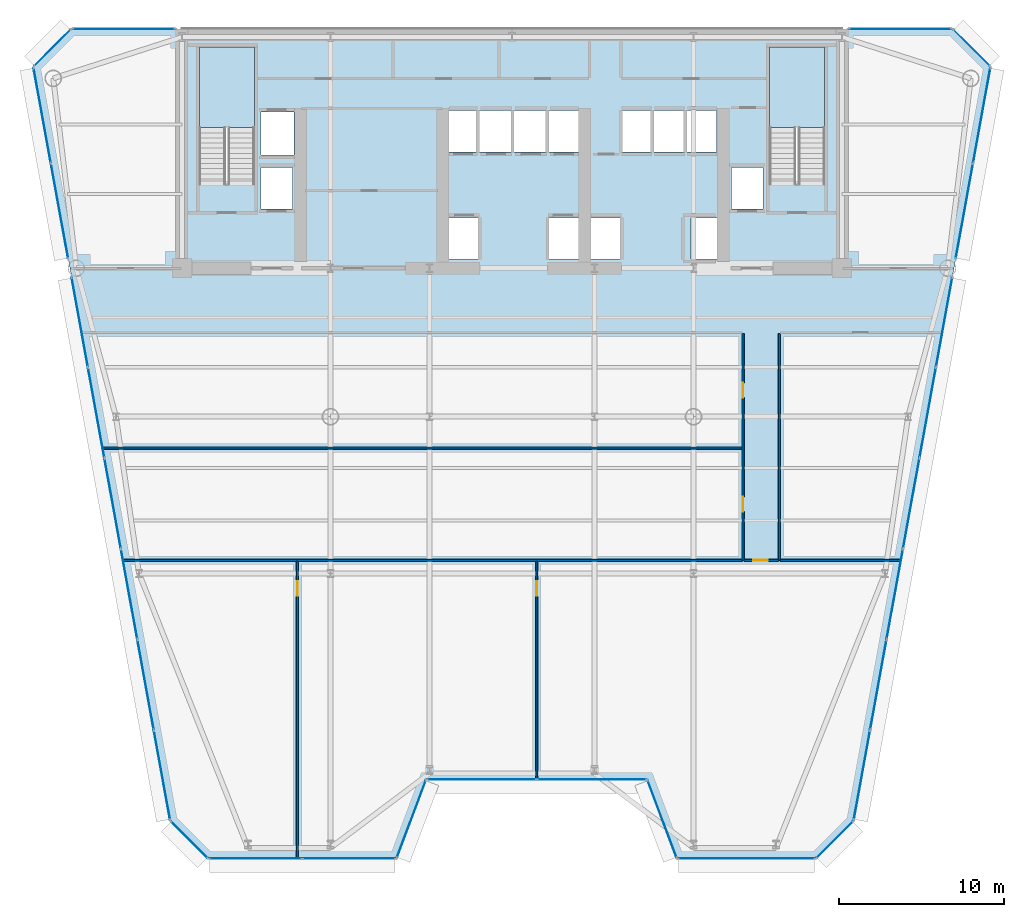
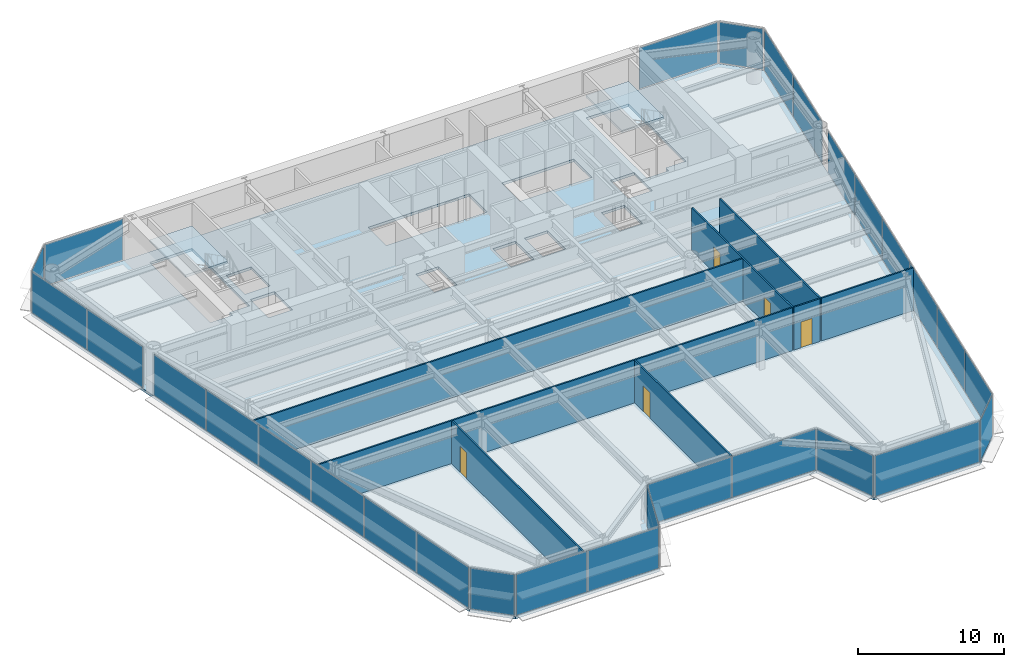
# One storey, part 7 of 14: 29 plates, 8 walls, 5 doors, 3 slabs, 5 openings, 17 elements without a shape of their own.
"""IFC4 building model written with IfcOpenShell, lengths in metres."""

import ifcopenshell
import ifcopenshell.guid

model = None  # the IFC model being written
_history = None  # IfcOwnerHistory: only IFC2X3 demands one
_inside = {}  # id of a spatial element -> (the spatial element, [elements in it])
_under = {}  # id of a project, library or spatial element -> (it, [spatial elements below it])
_declared = {}  # id of a project -> (the project, [libraries it declares])
_typed = {}  # id of a type object -> (the type object, [elements of that type])
_made_of = {}  # id of a material, layer set ... -> (it, [elements and type objects made of it])


def new_model(schema):
    """Start an empty IFC model of exactly this schema.

    Asked for "IFC4X3", IfcOpenShell would pick the latest addendum, in which some entities
    have other attributes; the version numbers below select the first issue.
    IFC2X3 requires an IfcOwnerHistory on every rooted entity: one is made here for all.
    """
    global model, _history
    if schema == "IFC4X3":
        model = ifcopenshell.file(schema_version=(4, 3, 0, 0))
    else:
        model = ifcopenshell.file(schema=schema)
    _inside.clear()
    _under.clear()
    _declared.clear()
    _typed.clear()
    _made_of.clear()
    _history = None
    if model.schema == "IFC2X3":
        org = make("IfcOrganization", Name="unknown")
        user = make(
            "IfcPersonAndOrganization",
            ThePerson=make("IfcPerson", FamilyName="unknown"),
            TheOrganization=org,
        )
        app = make(
            "IfcApplication",
            ApplicationDeveloper=org,
            Version="unknown",
            ApplicationFullName="unknown",
            ApplicationIdentifier="unknown",
        )
        _history = make(
            "IfcOwnerHistory",
            OwningUser=user,
            OwningApplication=app,
            ChangeAction="ADDED",
            CreationDate=0,
        )
    return model


def make(cls, **values):
    """One entity of the class cls with the attributes given. An attribute that is None is left unset."""
    return model.create_entity(
        cls, **{name: value for name, value in values.items() if value is not None}
    )


def rooted(cls, **values):
    """An entity with a GlobalId (a new one), such as an element, a storey or a relation."""
    return make(cls, GlobalId=ifcopenshell.guid.new(), OwnerHistory=_history, **values)


def si_unit(unit_type, name, prefix=None):
    """IfcSIUnit, for example si_unit("LENGTHUNIT", "METRE", prefix="MILLI")."""
    return make("IfcSIUnit", UnitType=unit_type, Prefix=prefix, Name=name)


def assignment(units):
    """IfcUnitAssignment: the units of a project."""
    return None if units is None else make("IfcUnitAssignment", Units=units)


def point(xyz):
    """IfcCartesianPoint."""
    return None if xyz is None else make("IfcCartesianPoint", Coordinates=xyz)


def direction(xyz):
    """IfcDirection."""
    return None if xyz is None else make("IfcDirection", DirectionRatios=xyz)


def frame(location, z_axis=None, x_axis=None):
    """IfcAxis2Placement3D, a coordinate frame: its origin and axes. An axis left out is left unset."""
    return make(
        "IfcAxis2Placement3D",
        Location=point(location),
        Axis=direction(z_axis),
        RefDirection=direction(x_axis),
    )


def frame_2d(location, x_axis=None):
    """IfcAxis2Placement2D, a coordinate frame in the plane: its origin and x axis."""
    return make(
        "IfcAxis2Placement2D", Location=point(location), RefDirection=direction(x_axis)
    )


def origin():
    """The frame at (0, 0, 0) with its axes left unset."""
    return frame((0.0, 0.0, 0.0))


def origin_2d():
    """The frame at (0, 0) in the plane with its x axis left unset."""
    return frame_2d((0.0, 0.0))


def place(relative_to, where):
    """IfcLocalPlacement: puts the frame where relative to a parent placement (None: the world)."""
    return make(
        "IfcLocalPlacement", PlacementRelTo=relative_to, RelativePlacement=where
    )


def context(
    kind, dimensions, precision=None, world=None, true_north=None, identifier=None
):
    """IfcGeometricRepresentationContext, for example the 3D "Model" context."""
    return make(
        "IfcGeometricRepresentationContext",
        ContextIdentifier=identifier,
        ContextType=kind,
        CoordinateSpaceDimension=dimensions,
        Precision=precision,
        WorldCoordinateSystem=world,
        TrueNorth=true_north,
    )


def subcontext(parent, identifier, kind, view, scale=None):
    """IfcGeometricRepresentationSubContext, for example "Body" below "Model"."""
    return make(
        "IfcGeometricRepresentationSubContext",
        ContextIdentifier=identifier,
        ContextType=kind,
        ParentContext=parent,
        TargetScale=scale,
        TargetView=view,
    )


def project(units=None, contexts=None):
    """IfcProject with its units and contexts."""
    return rooted(
        "IfcProject",
        Name="project",
        RepresentationContexts=contexts,
        UnitsInContext=assignment(units),
    )


def spatial(cls, under=None, at=None, **own):
    """A site, building, storey or space (cls), placed at a placement, below another one or the project."""
    s = rooted(cls, ObjectPlacement=at, **own)
    if under is not None:
        _under.setdefault(under.id(), (under, []))[1].append(s)
    return s


def polyline(points):
    """IfcPolyline through the points."""
    return make("IfcPolyline", Points=[point(p) for p in points])


def profile(cls, at=None, kind="AREA", **sizes):
    """A parametric profile (cls). Its sizes go by their IFC names, for example OverallWidth=200.0."""
    return make(cls, ProfileType=kind, Position=at, **sizes)


def rectangle(**sizes):
    """IfcRectangleProfileDef."""
    return profile("IfcRectangleProfileDef", **sizes)


def outline(outer, holes=None, kind="AREA"):
    """IfcArbitraryClosedProfileDef: a profile drawn as a closed curve; with holes, ...WithVoids."""
    if holes is None:
        return make("IfcArbitraryClosedProfileDef", ProfileType=kind, OuterCurve=outer)
    return make(
        "IfcArbitraryProfileDefWithVoids",
        ProfileType=kind,
        OuterCurve=outer,
        InnerCurves=holes,
    )


def extrude(swept, where, along, depth):
    """IfcExtrudedAreaSolid: the profile swept, set in the frame where, extruded along a direction by depth."""
    return make(
        "IfcExtrudedAreaSolid",
        SweptArea=swept,
        Position=where,
        ExtrudedDirection=direction(along),
        Depth=depth,
    )


def shape(context_of_items, identifier, shape_type, items):
    """IfcShapeRepresentation: the items that make up one representation, for example the "Body"."""
    return make(
        "IfcShapeRepresentation",
        ContextOfItems=context_of_items,
        RepresentationIdentifier=identifier,
        RepresentationType=shape_type,
        Items=items,
    )


def source(mapping_origin, context_of_items, identifier, shape_type, items):
    """IfcRepresentationMap: a shape defined once, which mapped items show again and again."""
    return make(
        "IfcRepresentationMap",
        MappingOrigin=mapping_origin,
        MappedRepresentation=shape(context_of_items, identifier, shape_type, items),
    )


def transform(
    local_origin,
    x_axis=None,
    y_axis=None,
    z_axis=None,
    scale=None,
    scale2=None,
    scale3=None,
    uniform=True,
):
    """IfcCartesianTransformationOperator3D, or its non-uniform kind. x_axis, y_axis, z_axis: its Axis1, 2, 3."""
    if uniform:
        return make(
            "IfcCartesianTransformationOperator3D",
            Axis1=direction(x_axis),
            Axis2=direction(y_axis),
            LocalOrigin=point(local_origin),
            Scale=scale,
            Axis3=direction(z_axis),
        )
    return make(
        "IfcCartesianTransformationOperator3DnonUniform",
        Axis1=direction(x_axis),
        Axis2=direction(y_axis),
        LocalOrigin=point(local_origin),
        Scale=scale,
        Axis3=direction(z_axis),
        Scale2=scale2,
        Scale3=scale3,
    )


def mapped(mapping_source, mapping_target):
    """IfcMappedItem: shows the shape of a source again, moved by a transform."""
    return make(
        "IfcMappedItem", MappingSource=mapping_source, MappingTarget=mapping_target
    )


def material(Name=None, Category=None):
    """IfcMaterial."""
    return make("IfcMaterial", Name=Name, Category=Category)


def layer(
    of_material, thickness, ventilated=None, Name=None, Category=None, Priority=None
):
    """IfcMaterialLayer: one layer of a wall or slab, of a material (None: an air gap)."""
    return make(
        "IfcMaterialLayer",
        Material=of_material,
        LayerThickness=thickness,
        IsVentilated=ventilated,
        Name=Name,
        Category=Category,
        Priority=Priority,
    )


def layer_set(layers, Name=None):
    """IfcMaterialLayerSet."""
    return make("IfcMaterialLayerSet", MaterialLayers=layers, LayerSetName=Name)


def made_of(thing, what):
    """Note that an element or type object is made of a material, layer set ...; save() writes the relation."""
    if what is not None:
        _made_of.setdefault(what.id(), (what, []))[1].append(thing)
    return thing


def type_object(cls, material=None, **own):
    """A type object (cls), such as IfcWallType, which elements share."""
    return made_of(rooted(cls, **own), material)


def element(
    cls,
    number,
    at=None,
    inside=None,
    cuts=None,
    type_object=None,
    material=None,
    context=None,
    identifier="Body",
    shape_type=None,
    held_by="IfcProductDefinitionShape",
    body=None,
    shapes=None,
    **own,
):
    """One element of the class cls, such as IfcWall. Its Tag is "e" and its number.

    at: its placement. inside: the storey or other place that contains it. cuts: it is an
    opening in that element (IfcRelVoidsElement). A single representation is given by context,
    identifier, shape_type and body (its items); several are given by shapes. held_by: the class
    of the entity that holds the representations. save() writes the other relations.
    """
    e = rooted(cls, Tag="e%d" % number, ObjectPlacement=at, **own)
    if body is not None:
        shapes = [shape(context, identifier, shape_type, body)]
    if shapes is not None:
        e.Representation = make(held_by, Representations=shapes)
    if inside is not None:
        _inside.setdefault(inside.id(), (inside, []))[1].append(e)
    if cuts is not None:
        rooted(
            "IfcRelVoidsElement", RelatingBuildingElement=cuts, RelatedOpeningElement=e
        )
    if type_object is not None:
        _typed.setdefault(type_object.id(), (type_object, []))[1].append(e)
    return made_of(e, material)


def fill(opening, filler):
    """IfcRelFillsElement: the door or window that sits in an opening."""
    return rooted(
        "IfcRelFillsElement",
        RelatingOpeningElement=opening,
        RelatedBuildingElement=filler,
    )


def aggregate(whole, parts):
    """IfcRelAggregates: a whole, such as a stair, and the parts it consists of."""
    return rooted("IfcRelAggregates", RelatingObject=whole, RelatedObjects=parts)


def save(model, path):
    """Write the relations noted so far, then the file.

    IfcRelAggregates (storeys below a building ...), IfcRelContainedInSpatialStructure (elements
    in a storey), IfcRelDefinesByType, IfcRelAssociatesMaterial and IfcRelDeclares: one each for
    every whole, place, type object, material and project.
    """
    for whole, parts in _under.values():
        aggregate(whole, parts)
    for where, things in _inside.values():
        rooted(
            "IfcRelContainedInSpatialStructure",
            RelatedElements=things,
            RelatingStructure=where,
        )
    for kind, things in _typed.values():
        rooted("IfcRelDefinesByType", RelatedObjects=things, RelatingType=kind)
    for what, things in _made_of.values():
        rooted("IfcRelAssociatesMaterial", RelatedObjects=things, RelatingMaterial=what)
    for by, libraries in _declared.values():
        rooted("IfcRelDeclares", RelatingContext=by, RelatedDefinitions=libraries)
    model.write(path)


model = new_model("IFC4")

# Units and contexts
model_context = context("Model", 3, precision=1e-05, world=origin(), true_north=direction((0.0, 1.0)))
body_context = subcontext(model_context, "Body", "Model", "MODEL_VIEW")
ifc_project = project(units=[si_unit("LENGTHUNIT", "METRE"), si_unit("AREAUNIT", "SQUARE_METRE"), si_unit("VOLUMEUNIT", "CUBIC_METRE"), si_unit("PLANEANGLEUNIT", "RADIAN"), si_unit("MASSUNIT", "GRAM", prefix="KILO")], contexts=[model_context])

# Site, building, storey
site_placement = place(None, origin())
site = spatial("IfcSite", under=ifc_project, at=site_placement, CompositionType="ELEMENT")
building_placement = place(site_placement, origin())
building = spatial("IfcBuilding", under=site, at=building_placement, Name="Vaeldorn Concourse Tower", CompositionType="ELEMENT")
storey_placement = place(building_placement, frame((0.0, 0.0, 133.800048828125)))
storey = spatial("IfcBuildingStorey", under=building, at=storey_placement, Name="L34", CompositionType="ELEMENT", Elevation=133.800048828125)

# Stair, slab
ifc_material_1 = material(Name="Precast concrete C40/50", Category="concrete")
stair_type = type_object("IfcStairType", Name="STR-DOG-24x158", PredefinedType="HALF_TURN_STAIR", material=ifc_material_1)
stair_1_placement = place(storey_placement, origin())
stair_1 = element("IfcStair", 1, at=stair_1_placement, inside=storey, type_object=stair_type, Name="L34 West Core Exit Stair ST-1", PredefinedType="HALF_TURN_STAIR")
ifc_material_2 = material(Name="Concrete C40/50", Category="concrete")
ifc_layer_1 = layer(ifc_material_2, 0.199951171875)
ifc_layer_set_1 = layer_set([ifc_layer_1], Name="Concrete C40/50")
slab_type_1 = type_object("IfcSlabType", Name="SL-STAIR-LANDING", PredefinedType="LANDING", material=ifc_layer_set_1)
slab_1_placement = place(storey_placement, frame((0.0, 0.0, 1.699951171875)))
slab_1 = element("IfcSlab", 2, at=slab_1_placement, type_object=slab_type_1, Name="ST-1 landing 1", PredefinedType="LANDING", context=body_context, shape_type="SweptSolid", body=[
    extrude(outline(polyline([(18.39990234375, 45.010009765625), (18.39990234375, 49.89990234375), (15.050048828125, 49.89990234375), (15.050048828125, 45.010009765625), (18.39990234375, 45.010009765625)])), origin(), (0.0, 0.0, 1.0), 0.199951171875),
])
aggregate(stair_1, [slab_1])

stair_2_placement = place(storey_placement, origin())
stair_2 = element("IfcStair", 3, at=stair_2_placement, inside=storey, type_object=stair_type, Name="L34 East Core Exit Stair ST-2", PredefinedType="HALF_TURN_STAIR")
slab_2_placement = place(storey_placement, frame((0.0, 0.0, 1.699951171875)))
slab_2 = element("IfcSlab", 4, at=slab_2_placement, type_object=slab_type_1, Name="ST-2 landing 1", PredefinedType="LANDING", context=body_context, shape_type="SweptSolid", body=[
    extrude(outline(polyline([(52.949951171875, 45.010009765625), (52.949951171875, 49.89990234375), (49.60009765625, 49.89990234375), (49.60009765625, 45.010009765625), (52.949951171875, 45.010009765625)])), origin(), (0.0, 0.0, 1.0), 0.199951171875),
])
aggregate(stair_2, [slab_2])

# Slab
ifc_layer_2 = layer(ifc_material_2, 0.219970703125)
ifc_layer_set_2 = layer_set([ifc_layer_2], Name="Concrete C40/50")
slab_type_2 = type_object("IfcSlabType", Name="SL-TYP-220", PredefinedType="FLOOR", material=ifc_layer_set_2)
slab_3_placement = place(storey_placement, frame((0.0, 0.0, -0.219970703125)))
element("IfcSlab", 5, at=slab_3_placement, inside=storey, type_object=slab_type_2, Name="Structural Floor Slab L34", PredefinedType="FLOOR", context=body_context, shape_type="SweptSolid", body=[
    extrude(outline(polyline([(15.5966796875, 0.71728515625), (27.0, 0.71728515625), (28.800048828125, 5.51708984375), (42.199951171875, 5.51708984375), (44.0, 0.71728515625), (52.4033203125, 0.71728515625), (54.703369140625, 3.01708984375), (63.0, 48.699951171875), (60.699951171875, 51.0), (7.300048828125, 51.0), (5.0, 48.699951171875), (13.296630859375, 3.01708984375), (15.5966796875, 0.71728515625)]), holes=[polyline([(18.39990234375, 42.0), (18.39990234375, 49.89990234375), (15.050048828125, 49.89990234375), (15.050048828125, 41.60009765625), (16.800048828125, 41.60009765625), (16.800048828125, 42.0), (18.39990234375, 42.0)]), polyline([(52.949951171875, 42.0), (52.949951171875, 49.89990234375), (49.60009765625, 49.89990234375), (49.60009765625, 41.60009765625), (51.35009765625, 41.60009765625), (51.35009765625, 42.0), (52.949951171875, 42.0)]), polyline([(30.14990234375, 37.050048828125), (31.949951171875, 37.050048828125), (31.949951171875, 39.550048828125), (30.14990234375, 39.550048828125), (30.14990234375, 37.050048828125)]), polyline([(36.25, 37.050048828125), (38.050048828125, 37.050048828125), (38.050048828125, 39.550048828125), (36.25, 39.550048828125), (36.25, 37.050048828125)]), polyline([(30.10009765625, 43.550048828125), (38.10009765625, 43.550048828125), (38.10009765625, 46.050048828125), (30.10009765625, 46.050048828125), (30.10009765625, 43.550048828125)]), polyline([(38.75, 37.050048828125), (40.550048828125, 37.050048828125), (40.550048828125, 39.550048828125), (38.75, 39.550048828125), (38.75, 37.050048828125)]), polyline([(44.85009765625, 37.050048828125), (46.64990234375, 37.050048828125), (46.64990234375, 39.550048828125), (44.85009765625, 39.550048828125), (44.85009765625, 37.050048828125)]), polyline([(40.699951171875, 43.550048828125), (46.39990234375, 43.550048828125), (46.39990234375, 46.050048828125), (40.699951171875, 46.050048828125), (40.699951171875, 43.550048828125)]), polyline([(18.800048828125, 43.35009765625), (20.800048828125, 43.35009765625), (20.800048828125, 45.949951171875), (18.800048828125, 45.949951171875), (18.800048828125, 43.35009765625)]), polyline([(18.800048828125, 40.10009765625), (20.699951171875, 40.10009765625), (20.699951171875, 42.60009765625), (18.800048828125, 42.60009765625), (18.800048828125, 40.10009765625)]), polyline([(47.300048828125, 40.10009765625), (49.199951171875, 40.10009765625), (49.199951171875, 42.60009765625), (47.300048828125, 42.60009765625), (47.300048828125, 40.10009765625)])]), origin(), (0.0, 0.0, 1.0), 0.219970703125),
])

# Curtain wall, plate
ifc_material_3 = material(Name="Anodised Bronze Aluminium", Category="aluminium")
ifc_layer_3 = layer(ifc_material_3, 0.199951171875)
ifc_layer_set_3 = layer_set([ifc_layer_3], Name="Anodised Bronze Aluminium")
curtain_wall_type = type_object("IfcCurtainWallType", Name="CW-SYS-02", PredefinedType="NOTDEFINED", material=ifc_layer_set_3)
curtain_wall_1_placement = place(storey_placement, origin())
curtain_wall_1 = element("IfcCurtainWall", 6, at=curtain_wall_1_placement, inside=storey, type_object=curtain_wall_type, Name="Unitised Curtain Wall CW-L34-E02-1", PredefinedType="NOTDEFINED")
ifc_material_4 = material(Name="Bronze Tinted Low-E Insulated Glass", Category="glass")
ifc_layer_4 = layer(ifc_material_4, 0.031982421875)
ifc_layer_set_4 = layer_set([ifc_layer_4], Name="Bronze Tinted Low-E Insulated Glass")
plate_type = type_object("IfcPlateType", Name="CWP-VISION-32", PredefinedType="CURTAIN_PANEL", material=ifc_layer_set_4)
shared_shape_1 = source(origin(), body_context, "Body", "SweptSolid", [
    extrude(rectangle(XDim=4.976318359375, YDim=0.031982421875, at=origin_2d()), origin(), (0.0, 0.0, 1.0), 3.429931640625),
])
plate_1_placement = place(storey_placement, frame((27.89990234375, 3.1171875, 0.0751953125), z_axis=(0.0, 0.0, 1.0), x_axis=(0.351123441595, 0.936329177566, 0.0)))
plate_1 = element("IfcPlate", 7, at=plate_1_placement, type_object=plate_type, Name="CW-02 panel 1.1", PredefinedType="CURTAIN_PANEL", context=body_context, shape_type="MappedRepresentation", body=[
    mapped(shared_shape_1, transform((0.0, 0.0, 0.0), scale=1.0)),
])
aggregate(curtain_wall_1, [plate_1])

curtain_wall_2_placement = place(storey_placement, origin())
curtain_wall_2 = element("IfcCurtainWall", 8, at=curtain_wall_2_placement, inside=storey, type_object=curtain_wall_type, Name="Unitised Curtain Wall CW-L34-E04-1", PredefinedType="NOTDEFINED")
plate_2_placement = place(storey_placement, frame((43.10009765625, 3.1171875, 0.0751953125), z_axis=(0.0, 0.0, 1.0), x_axis=(0.351123441595, -0.936329177566, 0.0)))
plate_2 = element("IfcPlate", 9, at=plate_2_placement, type_object=plate_type, Name="CW-02 panel 1.1", PredefinedType="CURTAIN_PANEL", context=body_context, shape_type="MappedRepresentation", body=[
    mapped(shared_shape_1, transform((0.0, 0.0, 0.0), scale=1.0)),
])
aggregate(curtain_wall_2, [plate_2])

# Curtain wall, plates
curtain_wall_3_placement = place(storey_placement, origin())
curtain_wall_3 = element("IfcCurtainWall", 10, at=curtain_wall_3_placement, inside=storey, type_object=curtain_wall_type, Name="Unitised Curtain Wall CW-L34-E03-1", PredefinedType="NOTDEFINED")
shared_shape_2 = source(origin(), body_context, "Body", "SweptSolid", [
    extrude(rectangle(XDim=6.58740234375, YDim=0.031982421875, at=origin_2d()), origin(), (0.0, 0.0, 1.0), 3.429931640625),
])
plate_3_placement = place(storey_placement, frame((32.168701171875, 5.51708984375, 0.0751953125), z_axis=(0.0, 0.0, 1.0), x_axis=(1.0, 0.0, 0.0)))
plate_3 = element("IfcPlate", 11, at=plate_3_placement, type_object=plate_type, Name="CW-02 panel 1.1", PredefinedType="CURTAIN_PANEL", context=body_context, shape_type="MappedRepresentation", body=[
    mapped(shared_shape_2, transform((0.0, 0.0, 0.0), scale=1.0)),
])
plate_4_placement = place(storey_placement, frame((38.831298828125, 5.51708984375, 0.0751953125), z_axis=(0.0, 0.0, 1.0), x_axis=(1.0, 0.0, 0.0)))
plate_4 = element("IfcPlate", 12, at=plate_4_placement, type_object=plate_type, Name="CW-02 panel 2.1", PredefinedType="CURTAIN_PANEL", context=body_context, shape_type="MappedRepresentation", body=[
    mapped(shared_shape_2, transform((0.0, 0.0, 0.0), scale=1.0)),
])
aggregate(curtain_wall_3, [plate_3, plate_4])

# Curtain wall, plate
curtain_wall_4_placement = place(storey_placement, origin())
curtain_wall_4 = element("IfcCurtainWall", 13, at=curtain_wall_4_placement, inside=storey, type_object=curtain_wall_type, Name="Unitised Curtain Wall CW-L34-E06-1", PredefinedType="NOTDEFINED")
shared_shape_3 = source(origin(), body_context, "Body", "SweptSolid", [
    extrude(rectangle(XDim=3.102783203125, YDim=0.031982421875, at=origin_2d()), origin(), (0.0, 0.0, 1.0), 3.429931640625),
])
plate_5_placement = place(storey_placement, frame((53.55322265625, 1.8671875, 0.0751953125), z_axis=(0.0, 0.0, 1.0), x_axis=(0.707106781187, 0.707106781187, 0.0)))
plate_5 = element("IfcPlate", 14, at=plate_5_placement, type_object=plate_type, Name="CW-02 panel 1.1", PredefinedType="CURTAIN_PANEL", context=body_context, shape_type="MappedRepresentation", body=[
    mapped(shared_shape_3, transform((0.0, 0.0, 0.0), scale=1.0)),
])
aggregate(curtain_wall_4, [plate_5])

curtain_wall_5_placement = place(storey_placement, origin())
curtain_wall_5 = element("IfcCurtainWall", 15, at=curtain_wall_5_placement, inside=storey, type_object=curtain_wall_type, Name="Unitised Curtain Wall CW-L34-E08-1", PredefinedType="NOTDEFINED")
plate_6_placement = place(storey_placement, frame((61.85009765625, 49.85009765625, 0.0751953125), z_axis=(0.0, 0.0, 1.0), x_axis=(-0.707106781187, 0.707106781187, 0.0)))
plate_6 = element("IfcPlate", 16, at=plate_6_placement, type_object=plate_type, Name="CW-02 panel 1.1", PredefinedType="CURTAIN_PANEL", context=body_context, shape_type="MappedRepresentation", body=[
    mapped(shared_shape_3, transform((0.0, 0.0, 0.0), scale=1.0)),
])
aggregate(curtain_wall_5, [plate_6])

curtain_wall_6_placement = place(storey_placement, origin())
curtain_wall_6 = element("IfcCurtainWall", 17, at=curtain_wall_6_placement, inside=storey, type_object=curtain_wall_type, Name="Unitised Curtain Wall CW-L34-E10-1", PredefinedType="NOTDEFINED")
plate_7_placement = place(storey_placement, frame((6.14990234375, 49.85009765625, 0.0751953125), z_axis=(0.0, 0.0, 1.0), x_axis=(-0.707106781187, -0.707106781187, 0.0)))
plate_7 = element("IfcPlate", 18, at=plate_7_placement, type_object=plate_type, Name="CW-02 panel 1.1", PredefinedType="CURTAIN_PANEL", context=body_context, shape_type="MappedRepresentation", body=[
    mapped(shared_shape_3, transform((0.0, 0.0, 0.0), scale=1.0)),
])
aggregate(curtain_wall_6, [plate_7])

curtain_wall_7_placement = place(storey_placement, origin())
curtain_wall_7 = element("IfcCurtainWall", 19, at=curtain_wall_7_placement, inside=storey, type_object=curtain_wall_type, Name="Unitised Curtain Wall CW-L34-E12-1", PredefinedType="NOTDEFINED")
plate_8_placement = place(storey_placement, frame((14.44677734375, 1.8671875, 0.0751953125), z_axis=(0.0, 0.0, 1.0), x_axis=(0.707106781187, -0.707106781187, 0.0)))
plate_8 = element("IfcPlate", 20, at=plate_8_placement, type_object=plate_type, Name="CW-02 panel 1.1", PredefinedType="CURTAIN_PANEL", context=body_context, shape_type="MappedRepresentation", body=[
    mapped(shared_shape_3, transform((0.0, 0.0, 0.0), scale=1.0)),
])
aggregate(curtain_wall_7, [plate_8])

# Curtain wall, plates
curtain_wall_8_placement = place(storey_placement, origin())
curtain_wall_8 = element("IfcCurtainWall", 21, at=curtain_wall_8_placement, inside=storey, type_object=curtain_wall_type, Name="Unitised Curtain Wall CW-L34-E01-1", PredefinedType="NOTDEFINED")
shared_shape_4 = source(origin(), body_context, "Body", "SweptSolid", [
    extrude(rectangle(XDim=5.589111328125, YDim=0.031982421875, at=origin_2d()), origin(), (0.0, 0.0, 1.0), 3.429931640625),
])
plate_9_placement = place(storey_placement, frame((18.46630859375, 0.71728515625, 0.0751953125), z_axis=(0.0, 0.0, 1.0), x_axis=(1.0, 0.0, 0.0)))
plate_9 = element("IfcPlate", 22, at=plate_9_placement, type_object=plate_type, Name="CW-02 panel 1.1", PredefinedType="CURTAIN_PANEL", context=body_context, shape_type="MappedRepresentation", body=[
    mapped(shared_shape_4, transform((0.0, 0.0, 0.0), scale=1.0)),
])
plate_10_placement = place(storey_placement, frame((24.13037109375, 0.71728515625, 0.0751953125), z_axis=(0.0, 0.0, 1.0), x_axis=(1.0, 0.0, 0.0)))
plate_10 = element("IfcPlate", 23, at=plate_10_placement, type_object=plate_type, Name="CW-02 panel 2.1", PredefinedType="CURTAIN_PANEL", context=body_context, shape_type="MappedRepresentation", body=[
    mapped(shared_shape_4, transform((0.0, 0.0, 0.0), scale=1.0)),
])
aggregate(curtain_wall_8, [plate_9, plate_10])

# Curtain wall, plate
curtain_wall_9_placement = place(storey_placement, origin())
curtain_wall_9 = element("IfcCurtainWall", 24, at=curtain_wall_9_placement, inside=storey, type_object=curtain_wall_type, Name="Unitised Curtain Wall CW-L34-E05-1", PredefinedType="NOTDEFINED")
shared_shape_5 = source(origin(), body_context, "Body", "SweptSolid", [
    extrude(rectangle(XDim=8.25341796875, YDim=0.031982421875, at=origin_2d()), origin(), (0.0, 0.0, 1.0), 3.429931640625),
])
plate_11_placement = place(storey_placement, frame((48.20166015625, 0.71728515625, 0.0751953125), z_axis=(0.0, 0.0, 1.0), x_axis=(1.0, 0.0, 0.0)))
plate_11 = element("IfcPlate", 25, at=plate_11_placement, type_object=plate_type, Name="CW-02 panel 1.1", PredefinedType="CURTAIN_PANEL", context=body_context, shape_type="MappedRepresentation", body=[
    mapped(shared_shape_5, transform((0.0, 0.0, 0.0), scale=1.0)),
])
aggregate(curtain_wall_9, [plate_11])

curtain_wall_10_placement = place(storey_placement, origin())
curtain_wall_10 = element("IfcCurtainWall", 26, at=curtain_wall_10_placement, inside=storey, type_object=curtain_wall_type, Name="Unitised Curtain Wall CW-L34-E09-1", PredefinedType="NOTDEFINED")
shared_shape_6 = source(origin(), body_context, "Body", "SweptSolid", [
    extrude(rectangle(XDim=6.179931640625, YDim=0.031982421875, at=origin_2d()), origin(), (0.0, 0.0, 1.0), 3.429931640625),
])
plate_12_placement = place(storey_placement, frame((57.534912109375, 51.0, 0.0751953125), z_axis=(0.0, 0.0, 1.0), x_axis=(-1.0, 0.0, 0.0)))
plate_12 = element("IfcPlate", 27, at=plate_12_placement, type_object=plate_type, Name="CW-02 panel 1.1", PredefinedType="CURTAIN_PANEL", context=body_context, shape_type="MappedRepresentation", body=[
    mapped(shared_shape_6, transform((0.0, 0.0, 0.0), scale=1.0)),
])
aggregate(curtain_wall_10, [plate_12])

curtain_wall_11_placement = place(storey_placement, origin())
curtain_wall_11 = element("IfcCurtainWall", 28, at=curtain_wall_11_placement, inside=storey, type_object=curtain_wall_type, Name="Unitised Curtain Wall CW-L34-E09-2", PredefinedType="NOTDEFINED")
plate_13_placement = place(storey_placement, frame((10.465087890625, 51.0, 0.0751953125), z_axis=(0.0, 0.0, 1.0), x_axis=(-1.0, 0.0, 0.0)))
plate_13 = element("IfcPlate", 29, at=plate_13_placement, type_object=plate_type, Name="CW-02 panel 1.1", PredefinedType="CURTAIN_PANEL", context=body_context, shape_type="MappedRepresentation", body=[
    mapped(shared_shape_6, transform((0.0, 0.0, 0.0), scale=1.0)),
])
aggregate(curtain_wall_11, [plate_13])

# Curtain wall, plates
curtain_wall_12_placement = place(storey_placement, origin())
curtain_wall_12 = element("IfcCurtainWall", 30, at=curtain_wall_12_placement, inside=storey, type_object=curtain_wall_type, Name="Unitised Curtain Wall CW-L34-E07-1", PredefinedType="NOTDEFINED")
shared_shape_7 = source(origin(), body_context, "Body", "SweptSolid", [
    extrude(rectangle(XDim=5.471435546875, YDim=0.031982421875, at=origin_2d()), origin(), (0.0, 0.0, 1.0), 3.429931640625),
])
plate_14_placement = place(storey_placement, frame((55.20556640625, 5.78271484375, 0.0751953125), z_axis=(0.0, 0.0, 1.0), x_axis=(0.178691858108, 0.983905086808, 0.0)))
plate_14 = element("IfcPlate", 31, at=plate_14_placement, type_object=plate_type, Name="CW-02 panel 1.1", PredefinedType="CURTAIN_PANEL", context=body_context, shape_type="MappedRepresentation", body=[
    mapped(shared_shape_7, transform((0.0, 0.0, 0.0), scale=1.0)),
])
plate_15_placement = place(storey_placement, frame((60.18798828125, 33.216552734375, 0.0751953125), z_axis=(0.0, 0.0, 1.0), x_axis=(0.178691858108, 0.983905086808, 0.0)))
plate_15 = element("IfcPlate", 32, at=plate_15_placement, type_object=plate_type, Name="CW-02 panel 6.1", PredefinedType="CURTAIN_PANEL", context=body_context, shape_type="MappedRepresentation", body=[
    mapped(shared_shape_7, transform((0.0, 0.0, 0.0), scale=1.0)),
])

curtain_wall_13_placement = place(storey_placement, origin())
curtain_wall_13 = element("IfcCurtainWall", 33, at=curtain_wall_13_placement, inside=storey, type_object=curtain_wall_type, Name="Unitised Curtain Wall CW-L34-E11-2", PredefinedType="NOTDEFINED")
plate_16_placement = place(storey_placement, frame((7.81201171875, 33.216552734375, 0.0751953125), z_axis=(0.0, 0.0, 1.0), x_axis=(0.178691858108, -0.983905086808, 0.0)))
plate_16 = element("IfcPlate", 34, at=plate_16_placement, type_object=plate_type, Name="CW-02 panel 1.1", PredefinedType="CURTAIN_PANEL", context=body_context, shape_type="MappedRepresentation", body=[
    mapped(shared_shape_7, transform((0.0, 0.0, 0.0), scale=1.0)),
])
plate_17_placement = place(storey_placement, frame((12.79443359375, 5.78271484375, 0.0751953125), z_axis=(0.0, 0.0, 1.0), x_axis=(0.178691858108, -0.983905086808, 0.0)))
plate_17 = element("IfcPlate", 35, at=plate_17_placement, type_object=plate_type, Name="CW-02 panel 6.1", PredefinedType="CURTAIN_PANEL", context=body_context, shape_type="MappedRepresentation", body=[
    mapped(shared_shape_7, transform((0.0, 0.0, 0.0), scale=1.0)),
])

# Plate
shared_shape_8 = source(origin(), body_context, "Body", "SweptSolid", [
    extrude(rectangle(XDim=5.509033203125, YDim=0.031982421875, at=origin_2d()), origin(), (0.0, 0.0, 1.0), 3.429931640625),
])
plate_18_placement = place(storey_placement, frame((56.199951171875, 11.25830078125, 0.0751953125), z_axis=(0.0, 0.0, 1.0), x_axis=(0.178691858108, 0.983905086808, 0.0)))
plate_18 = element("IfcPlate", 36, at=plate_18_placement, type_object=plate_type, Name="CW-02 panel 2.1", PredefinedType="CURTAIN_PANEL", context=body_context, shape_type="MappedRepresentation", body=[
    mapped(shared_shape_8, transform((0.0, 0.0, 0.0), scale=1.0)),
])

plate_19_placement = place(storey_placement, frame((57.19775390625, 16.75244140625, 0.0751953125), z_axis=(0.0, 0.0, 1.0), x_axis=(0.178691858108, 0.983905086808, 0.0)))
plate_19 = element("IfcPlate", 37, at=plate_19_placement, type_object=plate_type, Name="CW-02 panel 3.1", PredefinedType="CURTAIN_PANEL", context=body_context, shape_type="MappedRepresentation", body=[
    mapped(shared_shape_8, transform((0.0, 0.0, 0.0), scale=1.0)),
])

plate_20_placement = place(storey_placement, frame((58.195556640625, 22.24658203125, 0.0751953125), z_axis=(0.0, 0.0, 1.0), x_axis=(0.178691858108, 0.983905086808, 0.0)))
plate_20 = element("IfcPlate", 38, at=plate_20_placement, type_object=plate_type, Name="CW-02 panel 4.1", PredefinedType="CURTAIN_PANEL", context=body_context, shape_type="MappedRepresentation", body=[
    mapped(shared_shape_8, transform((0.0, 0.0, 0.0), scale=1.0)),
])

plate_21_placement = place(storey_placement, frame((59.193359375, 27.74072265625, 0.0751953125), z_axis=(0.0, 0.0, 1.0), x_axis=(0.178691858108, 0.983905086808, 0.0)))
plate_21 = element("IfcPlate", 39, at=plate_21_placement, type_object=plate_type, Name="CW-02 panel 5.1", PredefinedType="CURTAIN_PANEL", context=body_context, shape_type="MappedRepresentation", body=[
    mapped(shared_shape_8, transform((0.0, 0.0, 0.0), scale=1.0)),
])

aggregate(curtain_wall_12, [plate_14, plate_18, plate_19, plate_20, plate_21, plate_15])

plate_22_placement = place(storey_placement, frame((8.806640625, 27.74072265625, 0.0751953125), z_axis=(0.0, 0.0, 1.0), x_axis=(0.178691858108, -0.983905086808, 0.0)))
plate_22 = element("IfcPlate", 40, at=plate_22_placement, type_object=plate_type, Name="CW-02 panel 2.1", PredefinedType="CURTAIN_PANEL", context=body_context, shape_type="MappedRepresentation", body=[
    mapped(shared_shape_8, transform((0.0, 0.0, 0.0), scale=1.0)),
])

plate_23_placement = place(storey_placement, frame((9.804443359375, 22.24658203125, 0.0751953125), z_axis=(0.0, 0.0, 1.0), x_axis=(0.178691858108, -0.983905086808, 0.0)))
plate_23 = element("IfcPlate", 41, at=plate_23_placement, type_object=plate_type, Name="CW-02 panel 3.1", PredefinedType="CURTAIN_PANEL", context=body_context, shape_type="MappedRepresentation", body=[
    mapped(shared_shape_8, transform((0.0, 0.0, 0.0), scale=1.0)),
])

plate_24_placement = place(storey_placement, frame((10.80224609375, 16.75244140625, 0.0751953125), z_axis=(0.0, 0.0, 1.0), x_axis=(0.178691858108, -0.983905086808, 0.0)))
plate_24 = element("IfcPlate", 42, at=plate_24_placement, type_object=plate_type, Name="CW-02 panel 4.1", PredefinedType="CURTAIN_PANEL", context=body_context, shape_type="MappedRepresentation", body=[
    mapped(shared_shape_8, transform((0.0, 0.0, 0.0), scale=1.0)),
])

plate_25_placement = place(storey_placement, frame((11.800048828125, 11.25830078125, 0.0751953125), z_axis=(0.0, 0.0, 1.0), x_axis=(0.178691858108, -0.983905086808, 0.0)))
plate_25 = element("IfcPlate", 43, at=plate_25_placement, type_object=plate_type, Name="CW-02 panel 5.1", PredefinedType="CURTAIN_PANEL", context=body_context, shape_type="MappedRepresentation", body=[
    mapped(shared_shape_8, transform((0.0, 0.0, 0.0), scale=1.0)),
])

aggregate(curtain_wall_13, [plate_16, plate_22, plate_23, plate_24, plate_25, plate_17])

# Curtain wall, plates
curtain_wall_14_placement = place(storey_placement, origin())
curtain_wall_14 = element("IfcCurtainWall", 44, at=curtain_wall_14_placement, inside=storey, type_object=curtain_wall_type, Name="Unitised Curtain Wall CW-L34-E07-2", PredefinedType="NOTDEFINED")
shared_shape_9 = source(origin(), body_context, "Body", "SweptSolid", [
    extrude(rectangle(XDim=5.823974609375, YDim=0.031982421875, at=origin_2d()), origin(), (0.0, 0.0, 1.0), 3.429931640625),
])
plate_26_placement = place(storey_placement, frame((61.412109375, 39.95703125, 0.0751953125), z_axis=(0.0, 0.0, 1.0), x_axis=(0.178689765327, 0.983905466886, 0.0)))
plate_26 = element("IfcPlate", 45, at=plate_26_placement, type_object=plate_type, Name="CW-02 panel 1.1", PredefinedType="CURTAIN_PANEL", context=body_context, shape_type="MappedRepresentation", body=[
    mapped(shared_shape_9, transform((0.0, 0.0, 0.0), scale=1.0)),
])
plate_27_placement = place(storey_placement, frame((62.46630859375, 45.760986328125, 0.0751953125), z_axis=(0.0, 0.0, 1.0), x_axis=(0.178689765327, 0.983905466886, 0.0)))
plate_27 = element("IfcPlate", 46, at=plate_27_placement, type_object=plate_type, Name="CW-02 panel 2.1", PredefinedType="CURTAIN_PANEL", context=body_context, shape_type="MappedRepresentation", body=[
    mapped(shared_shape_9, transform((0.0, 0.0, 0.0), scale=1.0)),
])
aggregate(curtain_wall_14, [plate_26, plate_27])

curtain_wall_15_placement = place(storey_placement, origin())
curtain_wall_15 = element("IfcCurtainWall", 47, at=curtain_wall_15_placement, inside=storey, type_object=curtain_wall_type, Name="Unitised Curtain Wall CW-L34-E11-1", PredefinedType="NOTDEFINED")
plate_28_placement = place(storey_placement, frame((5.53369140625, 45.760986328125, 0.0751953125), z_axis=(0.0, 0.0, 1.0), x_axis=(0.178689765327, -0.983905466886, 0.0)))
plate_28 = element("IfcPlate", 48, at=plate_28_placement, type_object=plate_type, Name="CW-02 panel 1.1", PredefinedType="CURTAIN_PANEL", context=body_context, shape_type="MappedRepresentation", body=[
    mapped(shared_shape_9, transform((0.0, 0.0, 0.0), scale=1.0)),
])
plate_29_placement = place(storey_placement, frame((6.587890625, 39.95703125, 0.0751953125), z_axis=(0.0, 0.0, 1.0), x_axis=(0.178689765327, -0.983905466886, 0.0)))
plate_29 = element("IfcPlate", 49, at=plate_29_placement, type_object=plate_type, Name="CW-02 panel 2.1", PredefinedType="CURTAIN_PANEL", context=body_context, shape_type="MappedRepresentation", body=[
    mapped(shared_shape_9, transform((0.0, 0.0, 0.0), scale=1.0)),
])
aggregate(curtain_wall_15, [plate_28, plate_29])

# Wall, openings, doors
ifc_material_5 = material(Name="Gypsum Board Partition", Category="gypsum")
ifc_layer_5 = layer(ifc_material_5, 0.1201171875)
ifc_layer_set_5 = layer_set([ifc_layer_5], Name="Gypsum Board Partition")
wall_type = type_object("IfcWallType", Name="WL-PART-120", PredefinedType="PARTITIONING", material=ifc_layer_set_5)
wall_1_placement = place(storey_placement, frame((48.0, 18.800048828125, 0.0), z_axis=(0.0, 0.0, 1.0), x_axis=(0.0, 1.0, 0.0)))
wall_1 = element("IfcWall", 50, at=wall_1_placement, inside=storey, type_object=wall_type, Name="Interior Wall PW-L34-SP2W", PredefinedType="PARTITIONING", context=body_context, shape_type="SweptSolid", body=[
    extrude(rectangle(XDim=13.739990234375, YDim=0.1201171875, at=frame_2d((6.8701171875, 0.0))), origin(), (0.0, 0.0, 1.0), 3.579833984375),
])
opening_1_placement = place(wall_1_placement, frame((2.949951171875, 0.0, 0.0)))
opening_1 = element("IfcOpeningElement", 51, at=opening_1_placement, cuts=wall_1, Name="Opening D-03", PredefinedType="OPENING", context=body_context, shape_type="SweptSolid", body=[
    extrude(rectangle(XDim=0.89990234375, YDim=2.14990234375, at=frame_2d((0.449951171875, 1.074951171875))), frame((0.0, 0.070068359375, 0.0), z_axis=(0.0, -1.0, 0.0), x_axis=(1.0, 0.0, 0.0)), (0.0, 0.0, 1.0), 0.14013671875),
])
opening_2_placement = place(wall_1_placement, frame((9.85009765625, 0.0, 0.0)))
opening_2 = element("IfcOpeningElement", 52, at=opening_2_placement, cuts=wall_1, Name="Opening D-03", PredefinedType="OPENING", context=body_context, shape_type="SweptSolid", body=[
    extrude(rectangle(XDim=0.89990234375, YDim=2.14990234375, at=frame_2d((0.449951171875, 1.074951171875))), frame((0.0, 0.070068359375, 0.0), z_axis=(0.0, -1.0, 0.0), x_axis=(1.0, 0.0, 0.0)), (0.0, 0.0, 1.0), 0.14013671875),
])
ifc_material_6 = material(Name="Acoustic Bronze-Framed Glass Door", Category="glass")
door_type = type_object("IfcDoorType", Name="DR-INT-900", OperationType="NOTDEFINED", PredefinedType="DOOR", material=ifc_material_6)
shared_shape_10 = source(origin(), body_context, "Body", "SweptSolid", [
    extrude(rectangle(XDim=0.89990234375, YDim=2.14990234375, at=frame_2d((0.449951171875, 1.074951171875))), frame((0.0, 0.02490234375, 0.0), z_axis=(0.0, -1.0, 0.0), x_axis=(1.0, 0.0, 0.0)), (0.0, 0.0, 1.0), 0.050048828125),
])
door_1_placement = place(opening_1_placement, origin())
door_1 = element("IfcDoor", 53, at=door_1_placement, inside=storey, type_object=door_type, Name="Interior Door DR-L34-Z2W1", OperationType="SINGLE_SWING_LEFT", OverallHeight=2.14990234375, OverallWidth=0.89990234375, PredefinedType="DOOR", context=body_context, shape_type="MappedRepresentation", body=[
    mapped(shared_shape_10, transform((0.0, 0.0, 0.0), scale=1.0)),
])
fill(opening_1, door_1)
door_2_placement = place(opening_2_placement, origin())
door_2 = element("IfcDoor", 54, at=door_2_placement, inside=storey, type_object=door_type, Name="Interior Door DR-L34-Z2W2", OperationType="SINGLE_SWING_RIGHT", OverallHeight=2.14990234375, OverallWidth=0.89990234375, PredefinedType="DOOR", context=body_context, shape_type="MappedRepresentation", body=[
    mapped(shared_shape_10, transform((0.0, 0.0, 0.0), scale=1.0)),
])
fill(opening_2, door_2)

# Wall
wall_2_placement = place(storey_placement, frame((50.199951171875, 18.800048828125, 0.0), z_axis=(0.0, 0.0, 1.0), x_axis=(0.0, 1.0, 0.0)))
element("IfcWall", 55, at=wall_2_placement, inside=storey, type_object=wall_type, Name="Interior Wall PW-L34-SP2E", PredefinedType="PARTITIONING", context=body_context, shape_type="SweptSolid", body=[
    extrude(rectangle(XDim=13.739990234375, YDim=0.1201171875, at=frame_2d((6.8701171875, 0.0))), origin(), (0.0, 0.0, 1.0), 3.579833984375),
])

# Wall, opening, door
wall_3_placement = place(storey_placement, frame((48.06005859375, 18.800048828125, 0.0), z_axis=(0.0, 0.0, 1.0), x_axis=(1.0, 0.0, 0.0)))
wall_3 = element("IfcWall", 56, at=wall_3_placement, inside=storey, type_object=wall_type, Name="Interior Wall PW-L34-SP2S", PredefinedType="PARTITIONING", context=body_context, shape_type="SweptSolid", body=[
    extrude(rectangle(XDim=2.079833984375, YDim=0.1201171875, at=frame_2d((1.0400390625, 0.0))), origin(), (0.0, 0.0, 1.0), 3.579833984375),
])
opening_3_placement = place(wall_3_placement, frame((0.550048828125, 0.0, 0.0)))
opening_3 = element("IfcOpeningElement", 57, at=opening_3_placement, cuts=wall_3, Name="Opening D-03", PredefinedType="OPENING", context=body_context, shape_type="SweptSolid", body=[
    extrude(rectangle(XDim=0.89990234375, YDim=2.14990234375, at=frame_2d((0.449951171875, 1.074951171875))), frame((0.0, 0.070068359375, 0.0), z_axis=(0.0, -1.0, 0.0), x_axis=(1.0, 0.0, 0.0)), (0.0, 0.0, 1.0), 0.14013671875),
])
door_3_placement = place(opening_3_placement, origin())
door_3 = element("IfcDoor", 58, at=door_3_placement, inside=storey, type_object=door_type, Name="Interior Door DR-L34-Z2SFM", OperationType="SINGLE_SWING_LEFT", OverallHeight=2.14990234375, OverallWidth=0.89990234375, PredefinedType="DOOR", context=body_context, shape_type="MappedRepresentation", body=[
    mapped(shared_shape_10, transform((0.0, 0.0, 0.0), scale=1.0)),
])
fill(opening_3, door_3)

# Walls
wall_4_placement = place(storey_placement, frame((10.47021484375, 18.800048828125, 0.0), z_axis=(0.0, 0.0, 1.0), x_axis=(1.0, 0.0, 0.0)))
element("IfcWall", 59, at=wall_4_placement, inside=storey, type_object=wall_type, Name="Interior Wall PW-L34-S2WL", PredefinedType="PARTITIONING", context=body_context, shape_type="SweptSolid", body=[
    extrude(rectangle(XDim=37.4697265625, YDim=0.1201171875, at=frame_2d((18.73486328125, 0.0))), origin(), (0.0, 0.0, 1.0), 3.579833984375),
])
wall_5_placement = place(storey_placement, frame((50.260009765625, 18.800048828125, 0.0), z_axis=(0.0, 0.0, 1.0), x_axis=(1.0, 0.0, 0.0)))
element("IfcWall", 60, at=wall_5_placement, inside=storey, type_object=wall_type, Name="Interior Wall PW-L34-S2EL", PredefinedType="PARTITIONING", context=body_context, shape_type="SweptSolid", body=[
    extrude(rectangle(XDim=7.269775390625, YDim=0.1201171875, at=frame_2d((3.634765625, 0.0))), origin(), (0.0, 0.0, 1.0), 3.579833984375),
])

# Wall, opening, door
wall_6_placement = place(storey_placement, frame((21.0, 0.757080078125, 0.0), z_axis=(0.0, 0.0, 1.0), x_axis=(0.0, 1.0, 0.0)))
wall_6 = element("IfcWall", 61, at=wall_6_placement, inside=storey, type_object=wall_type, Name="Interior Wall PW-L34-Z2SFX1", PredefinedType="PARTITIONING", context=body_context, shape_type="SweptSolid", body=[
    extrude(rectangle(XDim=17.98291015625, YDim=0.1201171875, at=frame_2d((8.991455078125, 0.0))), origin(), (0.0, 0.0, 1.0), 3.579833984375),
])
opening_4_placement = place(wall_6_placement, frame((15.883056640625, 0.0, 0.0)))
opening_4 = element("IfcOpeningElement", 62, at=opening_4_placement, cuts=wall_6, Name="Opening D-03", PredefinedType="OPENING", context=body_context, shape_type="SweptSolid", body=[
    extrude(rectangle(XDim=0.89990234375, YDim=2.14990234375, at=frame_2d((0.449951171875, 1.074951171875))), frame((0.0, 0.070068359375, 0.0), z_axis=(0.0, -1.0, 0.0), x_axis=(1.0, 0.0, 0.0)), (0.0, 0.0, 1.0), 0.14013671875),
])
door_4_placement = place(opening_4_placement, origin())
door_4 = element("IfcDoor", 63, at=door_4_placement, inside=storey, type_object=door_type, Name="Interior Door DR-L34-Z2SFX1", OperationType="SINGLE_SWING_RIGHT", OverallHeight=2.14990234375, OverallWidth=0.89990234375, PredefinedType="DOOR", context=body_context, shape_type="MappedRepresentation", body=[
    mapped(shared_shape_10, transform((0.0, 0.0, 0.0), scale=1.0)),
])
fill(opening_4, door_4)

wall_7_placement = place(storey_placement, frame((35.5, 5.55712890625, 0.0), z_axis=(0.0, 0.0, 1.0), x_axis=(0.0, 1.0, 0.0)))
wall_7 = element("IfcWall", 64, at=wall_7_placement, inside=storey, type_object=wall_type, Name="Interior Wall PW-L34-Z2SFX2", PredefinedType="PARTITIONING", context=body_context, shape_type="SweptSolid", body=[
    extrude(rectangle(XDim=13.182861328125, YDim=0.1201171875, at=frame_2d((6.59130859375, 0.0))), origin(), (0.0, 0.0, 1.0), 3.579833984375),
])
opening_5_placement = place(wall_7_placement, frame((11.0830078125, 0.0, 0.0)))
opening_5 = element("IfcOpeningElement", 65, at=opening_5_placement, cuts=wall_7, Name="Opening D-03", PredefinedType="OPENING", context=body_context, shape_type="SweptSolid", body=[
    extrude(rectangle(XDim=0.89990234375, YDim=2.14990234375, at=frame_2d((0.449951171875, 1.074951171875))), frame((0.0, 0.070068359375, 0.0), z_axis=(0.0, -1.0, 0.0), x_axis=(1.0, 0.0, 0.0)), (0.0, 0.0, 1.0), 0.14013671875),
])
door_5_placement = place(opening_5_placement, origin())
door_5 = element("IfcDoor", 66, at=door_5_placement, inside=storey, type_object=door_type, Name="Interior Door DR-L34-Z2SFX2", OperationType="SINGLE_SWING_LEFT", OverallHeight=2.14990234375, OverallWidth=0.89990234375, PredefinedType="DOOR", context=body_context, shape_type="MappedRepresentation", body=[
    mapped(shared_shape_10, transform((0.0, 0.0, 0.0), scale=1.0)),
])
fill(opening_5, door_5)

# Wall
wall_8_placement = place(storey_placement, frame((9.2353515625, 25.60009765625, 0.0), z_axis=(0.0, 0.0, 1.0), x_axis=(1.0, 0.0, 0.0)))
element("IfcWall", 67, at=wall_8_placement, inside=storey, type_object=wall_type, Name="Interior Wall PW-L34-Z2WY1", PredefinedType="PARTITIONING", context=body_context, shape_type="SweptSolid", body=[
    extrude(rectangle(XDim=38.70458984375, YDim=0.1201171875, at=frame_2d((19.352294921875, 0.0))), origin(), (0.0, 0.0, 1.0), 3.579833984375),
])

save(model, "model.ifc")
